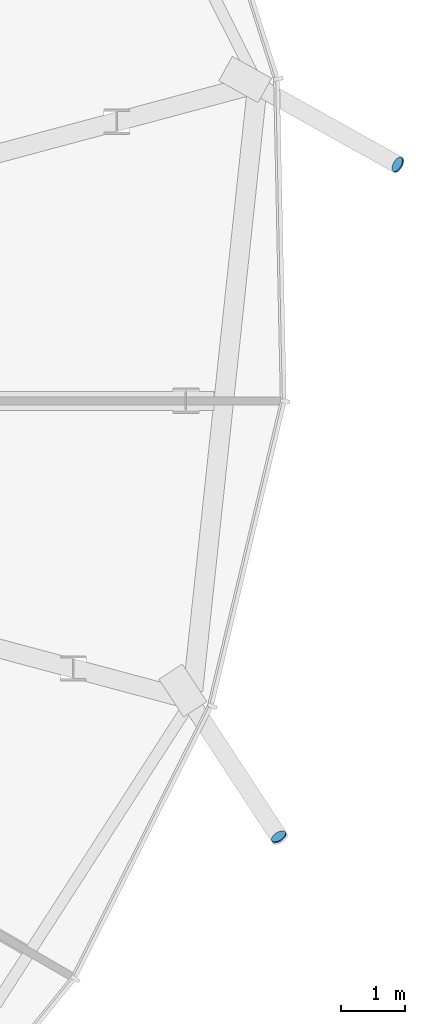
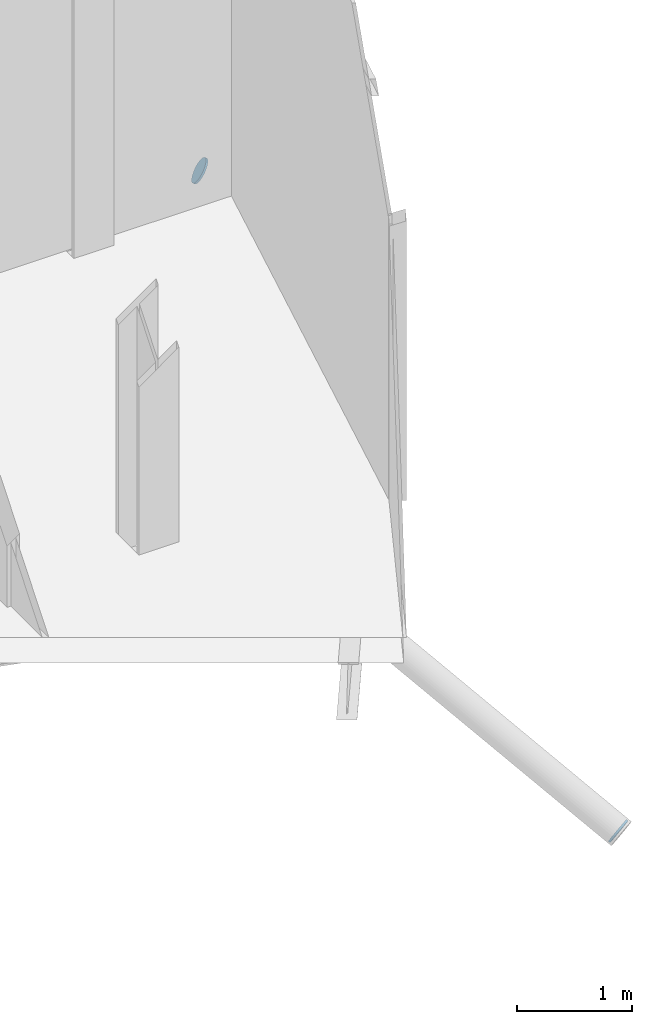
# One storey, part 28 of 31: 2 discrete accessories.
"""IFC4 building model written with IfcOpenShell, lengths in metres."""

from ifc_helpers import new_model, si_unit, direction, frame, origin, origin_2d, place, context, subcontext, project, spatial, circle, extrude, material, material_profile, profile_set, type_object, element, save


model = new_model("IFC4")

# Units and contexts
model_context = context("Model", 3, precision=1e-05, world=origin(), true_north=direction((0.0, 1.0)))
body_context = subcontext(model_context, "Body", "Model", "MODEL_VIEW")
ifc_project = project(units=[si_unit("LENGTHUNIT", "METRE"), si_unit("AREAUNIT", "SQUARE_METRE"), si_unit("VOLUMEUNIT", "CUBIC_METRE"), si_unit("PLANEANGLEUNIT", "RADIAN"), si_unit("MASSUNIT", "GRAM", prefix="KILO")], contexts=[model_context])

# Site, building, storey
site_placement = place(None, origin())
site = spatial("IfcSite", under=ifc_project, at=site_placement, CompositionType="ELEMENT")
building_placement = place(site_placement, origin())
building = spatial("IfcBuilding", under=site, at=building_placement, Name="Rimbun Link Towers", CompositionType="ELEMENT")
storey_placement = place(building_placement, frame((0.0, 0.0, 263.10009765625)))
storey = spatial("IfcBuildingStorey", under=building, at=storey_placement, Name="L64", CompositionType="ELEMENT", Elevation=263.10009765625)

# Discrete accessories
ifc_material = material(Name="Steel S355J2H", Category="steel")
ifc_material_profile = material_profile(ifc_material, circle(Radius=0.1240234375, at=origin_2d()), Name="PL D248")
ifc_profile_set = profile_set([ifc_material_profile], Name="Steel S355J2H")
discrete_accessory_type = type_object("IfcDiscreteAccessoryType", Name="Link foot sealing plate D248X20", PredefinedType="BRACKET", material=ifc_profile_set)
discrete_accessory_1_placement = place(storey_placement, frame((50.461669921875, -6.769287109375, -2.63330078125), z_axis=(0.474131282403, -0.717275529789, -0.510602919511), x_axis=(0.834219174646, 0.551433013749, 0.0)))
element("IfcDiscreteAccessory", 1, at=discrete_accessory_1_placement, inside=storey, type_object=discrete_accessory_type, Name="Link foot sealing plate T2 L64 20", PredefinedType="BRACKET", context=body_context, shape_type="SweptSolid", body=[
    extrude(circle(Radius=0.1240234375, at=origin_2d()), origin(), (0.0, 0.0, 1.0), 0.02001953125),
])
discrete_accessory_2_placement = place(storey_placement, frame((52.30712890625, 3.67578125, -2.635498046875), z_axis=(0.753258652213, -0.41984908484, -0.506288602307), x_axis=(0.486858256227, 0.873480989114, 0.0)))
element("IfcDiscreteAccessory", 2, at=discrete_accessory_2_placement, inside=storey, type_object=discrete_accessory_type, Name="Link foot sealing plate T2 L64 22", PredefinedType="BRACKET", context=body_context, shape_type="SweptSolid", body=[
    extrude(circle(Radius=0.1240234375, at=origin_2d()), origin(), (0.0, 0.0, 1.0), 0.019775390625),
])

save(model, "model.ifc")
